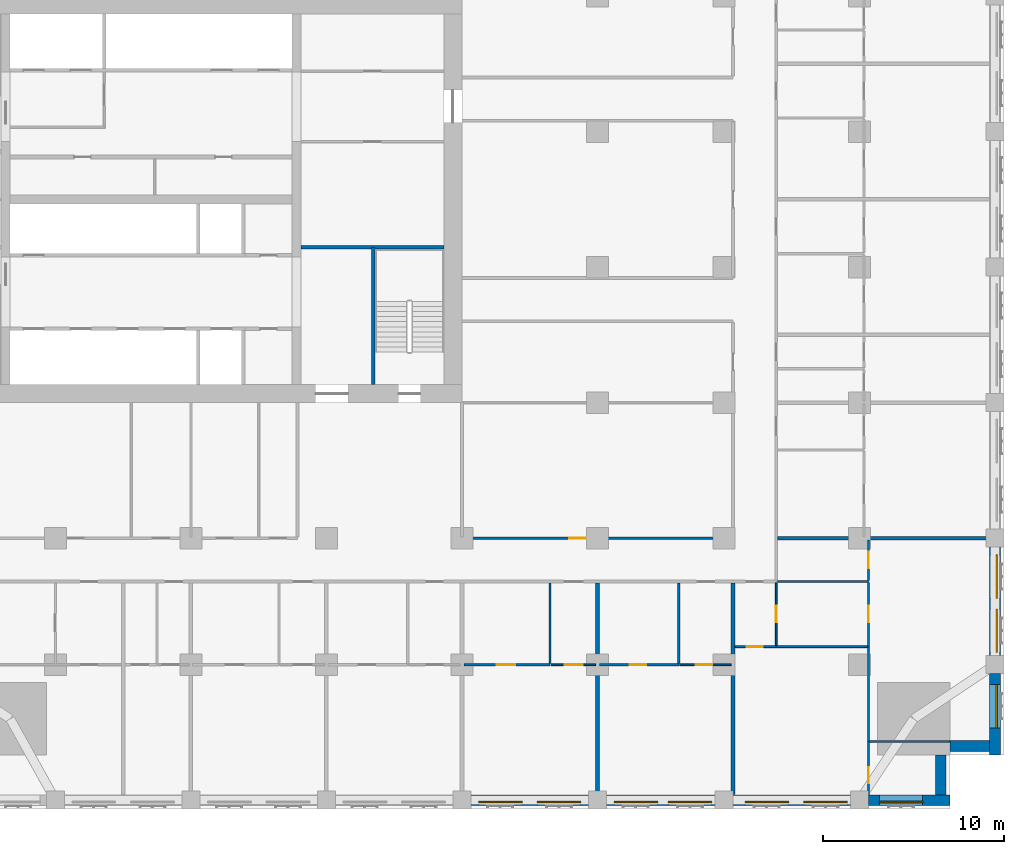
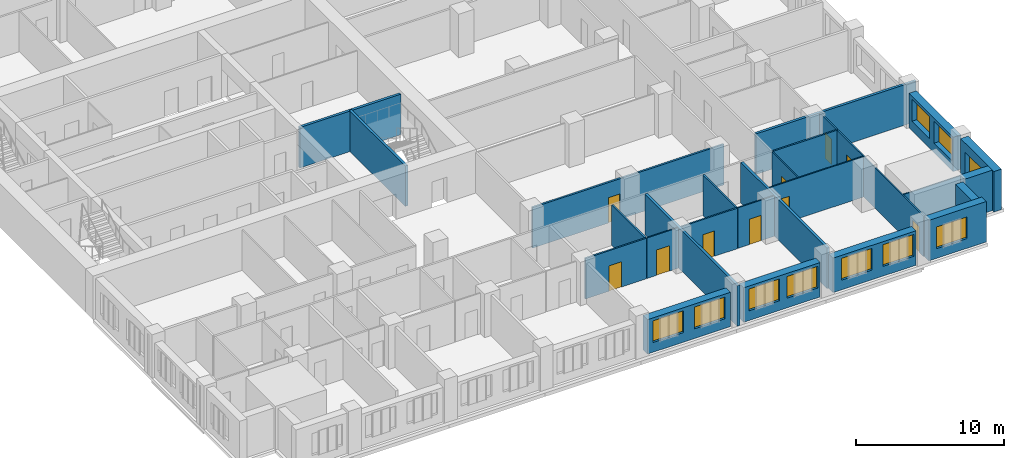
# One storey, part 6 of 14: 26 walls, 10 doors, 10 windows, 20 openings.
"""IFC4 building model written with IfcOpenShell, lengths in metres."""

from ifc_helpers import new_model, si_unit, direction, frame, frame_2d, origin, place, context, subcontext, project, spatial, rectangle, extrude, material, layer, layer_set, type_object, element, fill, save


model = new_model("IFC4")

# Units and contexts
model_context = context("Model", 3, precision=1e-05, world=origin(), true_north=direction((0.0, 1.0)))
body_context = subcontext(model_context, "Body", "Model", "MODEL_VIEW")
ifc_project = project(units=[si_unit("LENGTHUNIT", "METRE"), si_unit("AREAUNIT", "SQUARE_METRE"), si_unit("VOLUMEUNIT", "CUBIC_METRE"), si_unit("PLANEANGLEUNIT", "RADIAN"), si_unit("MASSUNIT", "GRAM", prefix="KILO")], contexts=[model_context])

# Site, building, storey
site_placement = place(None, origin())
site = spatial("IfcSite", under=ifc_project, at=site_placement, CompositionType="ELEMENT")
building_placement = place(site_placement, origin())
building = spatial("IfcBuilding", under=site, at=building_placement, Name="Tamorin Gate", CompositionType="ELEMENT")
storey_placement = place(building_placement, frame((0.0, 0.0, 44.800048828125)))
storey = spatial("IfcBuildingStorey", under=building, at=storey_placement, Name="L09", CompositionType="ELEMENT", Elevation=44.800048828125)

# Wall, openings, windows
ifc_material_1 = material(Name="Precast concrete C40/50", Category="concrete")
ifc_layer_1 = layer(ifc_material_1, 0.60009765625)
ifc_layer_set_1 = layer_set([ifc_layer_1], Name="Precast concrete C40/50")
wall_type_1 = type_object("IfcWallType", Name="Board-marked concrete facade panel 600", PredefinedType="SOLIDWALL", material=ifc_layer_set_1)
wall_1_placement = place(storey_placement, frame((60.5, 38.0, 0.0), z_axis=(0.0, 0.0, 1.0), x_axis=(1.0, 0.0, 0.0)))
wall_1 = element("IfcWall", 1, at=wall_1_placement, inside=storey, type_object=wall_type_1, Name="Facade panel", PredefinedType="SOLIDWALL", context=body_context, shape_type="SweptSolid", body=[
    extrude(rectangle(XDim=6.5, YDim=0.60009765625, at=frame_2d((3.25, 0.0))), origin(), (0.0, 0.0, 1.0), 2.849853515625),
])
opening_1_placement = place(wall_1_placement, frame((0.425048828125, 0.0, 0.800048828125)))
opening_1 = element("IfcOpeningElement", 2, at=opening_1_placement, cuts=wall_1, Name="Opening WN1", PredefinedType="OPENING", context=body_context, shape_type="SweptSolid", body=[
    extrude(rectangle(XDim=2.39990234375, YDim=1.800048828125, at=frame_2d((1.199951171875, 0.89990234375))), frame((0.0, 0.31005859375, 0.0), z_axis=(0.0, -1.0, 0.0), x_axis=(1.0, 0.0, 0.0)), (0.0, 0.0, 1.0), 0.6201171875),
])
opening_2_placement = place(wall_1_placement, frame((3.675048828125, 0.0, 0.800048828125)))
opening_2 = element("IfcOpeningElement", 3, at=opening_2_placement, cuts=wall_1, Name="Opening WN1", PredefinedType="OPENING", context=body_context, shape_type="SweptSolid", body=[
    extrude(rectangle(XDim=2.39990234375, YDim=1.800048828125, at=frame_2d((1.199951171875, 0.89990234375))), frame((0.0, 0.31005859375, 0.0), z_axis=(0.0, -1.0, 0.0), x_axis=(1.0, 0.0, 0.0)), (0.0, 0.0, 1.0), 0.6201171875),
])
ifc_material_2 = material(Name="Clear glass in aluminium frame", Category="aluminium")
window_type = type_object("IfcWindowType", Name="Deep-set window 2400x1800", PartitioningType="SINGLE_PANEL", PredefinedType="WINDOW", material=ifc_material_2)
window_1_placement = place(opening_1_placement, origin())
window_1 = element("IfcWindow", 4, at=window_1_placement, inside=storey, type_object=window_type, Name="Deep-set window", OverallHeight=1.800048828125, OverallWidth=2.39990234375, PartitioningType="SINGLE_PANEL", PredefinedType="WINDOW", context=body_context, shape_type="SweptSolid", body=[
    extrude(rectangle(XDim=2.39990234375, YDim=1.800048828125, at=frame_2d((1.199951171875, 0.89990234375))), frame((0.0, -0.070068359375, 0.0), z_axis=(0.0, -1.0, 0.0), x_axis=(1.0, 0.0, 0.0)), (0.0, 0.0, 1.0), 0.06005859375),
])
fill(opening_1, window_1)
window_2_placement = place(opening_2_placement, origin())
window_2 = element("IfcWindow", 5, at=window_2_placement, inside=storey, type_object=window_type, Name="Deep-set window", OverallHeight=1.800048828125, OverallWidth=2.39990234375, PartitioningType="SINGLE_PANEL", PredefinedType="WINDOW", context=body_context, shape_type="SweptSolid", body=[
    extrude(rectangle(XDim=2.39990234375, YDim=1.800048828125, at=frame_2d((1.199951171875, 0.89990234375))), frame((0.0, -0.070068359375, 0.0), z_axis=(0.0, -1.0, 0.0), x_axis=(1.0, 0.0, 0.0)), (0.0, 0.0, 1.0), 0.06005859375),
])
fill(opening_2, window_2)

wall_2_placement = place(storey_placement, frame((68.0, 38.0, 0.0), z_axis=(0.0, 0.0, 1.0), x_axis=(1.0, 0.0, 0.0)))
wall_2 = element("IfcWall", 6, at=wall_2_placement, inside=storey, type_object=wall_type_1, Name="Facade panel", PredefinedType="SOLIDWALL", context=body_context, shape_type="SweptSolid", body=[
    extrude(rectangle(XDim=6.0, YDim=0.60009765625, at=frame_2d((3.0, 0.0))), origin(), (0.0, 0.0, 1.0), 2.849853515625),
])
opening_3_placement = place(wall_2_placement, frame((0.425048828125, 0.0, 0.800048828125)))
opening_3 = element("IfcOpeningElement", 7, at=opening_3_placement, cuts=wall_2, Name="Opening WN1", PredefinedType="OPENING", context=body_context, shape_type="SweptSolid", body=[
    extrude(rectangle(XDim=2.39990234375, YDim=1.800048828125, at=frame_2d((1.199951171875, 0.89990234375))), frame((0.0, 0.31005859375, 0.0), z_axis=(0.0, -1.0, 0.0), x_axis=(1.0, 0.0, 0.0)), (0.0, 0.0, 1.0), 0.6201171875),
])
opening_4_placement = place(wall_2_placement, frame((3.425048828125, 0.0, 0.800048828125)))
opening_4 = element("IfcOpeningElement", 8, at=opening_4_placement, cuts=wall_2, Name="Opening WN1", PredefinedType="OPENING", context=body_context, shape_type="SweptSolid", body=[
    extrude(rectangle(XDim=2.39990234375, YDim=1.800048828125, at=frame_2d((1.199951171875, 0.89990234375))), frame((0.0, 0.31005859375, 0.0), z_axis=(0.0, -1.0, 0.0), x_axis=(1.0, 0.0, 0.0)), (0.0, 0.0, 1.0), 0.6201171875),
])
window_3_placement = place(opening_3_placement, origin())
window_3 = element("IfcWindow", 9, at=window_3_placement, inside=storey, type_object=window_type, Name="Deep-set window", OverallHeight=1.800048828125, OverallWidth=2.39990234375, PartitioningType="SINGLE_PANEL", PredefinedType="WINDOW", context=body_context, shape_type="SweptSolid", body=[
    extrude(rectangle(XDim=2.39990234375, YDim=1.800048828125, at=frame_2d((1.199951171875, 0.89990234375))), frame((0.0, -0.070068359375, 0.0), z_axis=(0.0, -1.0, 0.0), x_axis=(1.0, 0.0, 0.0)), (0.0, 0.0, 1.0), 0.06005859375),
])
fill(opening_3, window_3)
window_4_placement = place(opening_4_placement, origin())
window_4 = element("IfcWindow", 10, at=window_4_placement, inside=storey, type_object=window_type, Name="Deep-set window", OverallHeight=1.800048828125, OverallWidth=2.39990234375, PartitioningType="SINGLE_PANEL", PredefinedType="WINDOW", context=body_context, shape_type="SweptSolid", body=[
    extrude(rectangle(XDim=2.39990234375, YDim=1.800048828125, at=frame_2d((1.199951171875, 0.89990234375))), frame((0.0, -0.070068359375, 0.0), z_axis=(0.0, -1.0, 0.0), x_axis=(1.0, 0.0, 0.0)), (0.0, 0.0, 1.0), 0.06005859375),
])
fill(opening_4, window_4)

wall_3_placement = place(storey_placement, frame((75.0, 38.0, 0.0), z_axis=(0.0, 0.0, 1.0), x_axis=(1.0, 0.0, 0.0)))
wall_3 = element("IfcWall", 11, at=wall_3_placement, inside=storey, type_object=wall_type_1, Name="Facade panel", PredefinedType="SOLIDWALL", context=body_context, shape_type="SweptSolid", body=[
    extrude(rectangle(XDim=6.5, YDim=0.60009765625, at=frame_2d((3.25, 0.0))), origin(), (0.0, 0.0, 1.0), 2.849853515625),
])
opening_5_placement = place(wall_3_placement, frame((0.675048828125, 0.0, 0.800048828125)))
opening_5 = element("IfcOpeningElement", 12, at=opening_5_placement, cuts=wall_3, Name="Opening WN1", PredefinedType="OPENING", context=body_context, shape_type="SweptSolid", body=[
    extrude(rectangle(XDim=2.39990234375, YDim=1.800048828125, at=frame_2d((1.199951171875, 0.89990234375))), frame((0.0, 0.31005859375, 0.0), z_axis=(0.0, -1.0, 0.0), x_axis=(1.0, 0.0, 0.0)), (0.0, 0.0, 1.0), 0.6201171875),
])
opening_6_placement = place(wall_3_placement, frame((3.925048828125, 0.0, 0.800048828125)))
opening_6 = element("IfcOpeningElement", 13, at=opening_6_placement, cuts=wall_3, Name="Opening WN1", PredefinedType="OPENING", context=body_context, shape_type="SweptSolid", body=[
    extrude(rectangle(XDim=2.39990234375, YDim=1.800048828125, at=frame_2d((1.199951171875, 0.89990234375))), frame((0.0, 0.31005859375, 0.0), z_axis=(0.0, -1.0, 0.0), x_axis=(1.0, 0.0, 0.0)), (0.0, 0.0, 1.0), 0.6201171875),
])
window_5_placement = place(opening_5_placement, origin())
window_5 = element("IfcWindow", 14, at=window_5_placement, inside=storey, type_object=window_type, Name="Deep-set window", OverallHeight=1.800048828125, OverallWidth=2.39990234375, PartitioningType="SINGLE_PANEL", PredefinedType="WINDOW", context=body_context, shape_type="SweptSolid", body=[
    extrude(rectangle(XDim=2.39990234375, YDim=1.800048828125, at=frame_2d((1.199951171875, 0.89990234375))), frame((0.0, -0.070068359375, 0.0), z_axis=(0.0, -1.0, 0.0), x_axis=(1.0, 0.0, 0.0)), (0.0, 0.0, 1.0), 0.06005859375),
])
fill(opening_5, window_5)
window_6_placement = place(opening_6_placement, origin())
window_6 = element("IfcWindow", 15, at=window_6_placement, inside=storey, type_object=window_type, Name="Deep-set window", OverallHeight=1.800048828125, OverallWidth=2.39990234375, PartitioningType="SINGLE_PANEL", PredefinedType="WINDOW", context=body_context, shape_type="SweptSolid", body=[
    extrude(rectangle(XDim=2.39990234375, YDim=1.800048828125, at=frame_2d((1.199951171875, 0.89990234375))), frame((0.0, -0.070068359375, 0.0), z_axis=(0.0, -1.0, 0.0), x_axis=(1.0, 0.0, 0.0)), (0.0, 0.0, 1.0), 0.06005859375),
])
fill(opening_6, window_6)

# Wall, opening, window
wall_4_placement = place(storey_placement, frame((82.5, 38.0, 0.0), z_axis=(0.0, 0.0, 1.0), x_axis=(1.0, 0.0, 0.0)))
wall_4 = element("IfcWall", 16, at=wall_4_placement, inside=storey, type_object=wall_type_1, Name="Facade panel", PredefinedType="SOLIDWALL", context=body_context, shape_type="SweptSolid", body=[
    extrude(rectangle(XDim=4.5, YDim=0.60009765625, at=frame_2d((2.25, 0.0))), origin(), (0.0, 0.0, 1.0), 3.349853515625),
])
opening_7_placement = place(wall_4_placement, frame((0.60009765625, 0.0, 0.800048828125)))
opening_7 = element("IfcOpeningElement", 17, at=opening_7_placement, cuts=wall_4, Name="Opening WN1", PredefinedType="OPENING", context=body_context, shape_type="SweptSolid", body=[
    extrude(rectangle(XDim=2.39990234375, YDim=1.800048828125, at=frame_2d((1.199951171875, 0.89990234375))), frame((0.0, 0.31005859375, 0.0), z_axis=(0.0, -1.0, 0.0), x_axis=(1.0, 0.0, 0.0)), (0.0, 0.0, 1.0), 0.6201171875),
])
window_7_placement = place(opening_7_placement, origin())
window_7 = element("IfcWindow", 18, at=window_7_placement, inside=storey, type_object=window_type, Name="Deep-set window", OverallHeight=1.800048828125, OverallWidth=2.39990234375, PartitioningType="SINGLE_PANEL", PredefinedType="WINDOW", context=body_context, shape_type="SweptSolid", body=[
    extrude(rectangle(XDim=2.39990234375, YDim=1.800048828125, at=frame_2d((1.199951171875, 0.89990234375))), frame((0.0, -0.070068359375, 0.0), z_axis=(0.0, -1.0, 0.0), x_axis=(1.0, 0.0, 0.0)), (0.0, 0.0, 1.0), 0.06005859375),
])
fill(opening_7, window_7)

# Walls
for number, where, z_axis, x_axis, name in (
    (19, (86.5, 38.300048828125, 0.0), (0.0, 0.0, 1.0), (0.0, 1.0, 0.0), "Facade panel"),
    (20, (87.0, 41.0, 0.0), (0.0, 0.0, 1.0), (1.0, 0.0, 0.0), "Facade panel"),
):
    element("IfcWall", number, at=place(storey_placement, frame(where, z_axis=z_axis, x_axis=x_axis)), inside=storey, type_object=wall_type_1, Name=name, PredefinedType="SOLIDWALL", context=body_context, shape_type="SweptSolid", body=[
        extrude(rectangle(XDim=2.199951171875, YDim=0.60009765625, at=frame_2d((1.10009765625, 0.0))), origin(), (0.0, 0.0, 1.0), 3.349853515625),
    ])

# Wall, opening, window
wall_5_placement = place(storey_placement, frame((89.5, 40.5, 0.0), z_axis=(0.0, 0.0, 1.0), x_axis=(0.0, 1.0, 0.0)))
wall_5 = element("IfcWall", 21, at=wall_5_placement, inside=storey, type_object=wall_type_1, Name="Facade panel", PredefinedType="SOLIDWALL", context=body_context, shape_type="SweptSolid", body=[
    extrude(rectangle(XDim=4.5, YDim=0.60009765625, at=frame_2d((2.25, 0.0))), origin(), (0.0, 0.0, 1.0), 3.349853515625),
])
opening_8_placement = place(wall_5_placement, frame((1.5, 0.0, 0.800048828125)))
opening_8 = element("IfcOpeningElement", 22, at=opening_8_placement, cuts=wall_5, Name="Opening WN1", PredefinedType="OPENING", context=body_context, shape_type="SweptSolid", body=[
    extrude(rectangle(XDim=2.39990234375, YDim=1.800048828125, at=frame_2d((1.199951171875, 0.89990234375))), frame((0.0, 0.31005859375, 0.0), z_axis=(0.0, -1.0, 0.0), x_axis=(1.0, 0.0, 0.0)), (0.0, 0.0, 1.0), 0.6201171875),
])
window_8_placement = place(opening_8_placement, origin())
window_8 = element("IfcWindow", 23, at=window_8_placement, inside=storey, type_object=window_type, Name="Deep-set window", OverallHeight=1.800048828125, OverallWidth=2.39990234375, PartitioningType="SINGLE_PANEL", PredefinedType="WINDOW", context=body_context, shape_type="SweptSolid", body=[
    extrude(rectangle(XDim=2.39990234375, YDim=1.800048828125, at=frame_2d((1.199951171875, 0.89990234375))), frame((0.0, -0.070068359375, 0.0), z_axis=(0.0, -1.0, 0.0), x_axis=(1.0, 0.0, 0.0)), (0.0, 0.0, 1.0), 0.06005859375),
])
fill(opening_8, window_8)

# Wall, openings, windows
wall_6_placement = place(storey_placement, frame((89.5, 46.0, 0.0), z_axis=(0.0, 0.0, 1.0), x_axis=(0.0, 1.0, 0.0)))
wall_6 = element("IfcWall", 24, at=wall_6_placement, inside=storey, type_object=wall_type_1, Name="Facade panel", PredefinedType="SOLIDWALL", context=body_context, shape_type="SweptSolid", body=[
    extrude(rectangle(XDim=6.0, YDim=0.60009765625, at=frame_2d((3.0, 0.0))), origin(), (0.0, 0.0, 1.0), 2.849853515625),
])
opening_9_placement = place(wall_6_placement, frame((0.175048828125, 0.0, 0.800048828125)))
opening_9 = element("IfcOpeningElement", 25, at=opening_9_placement, cuts=wall_6, Name="Opening WN1", PredefinedType="OPENING", context=body_context, shape_type="SweptSolid", body=[
    extrude(rectangle(XDim=2.39990234375, YDim=1.800048828125, at=frame_2d((1.199951171875, 0.89990234375))), frame((0.0, 0.31005859375, 0.0), z_axis=(0.0, -1.0, 0.0), x_axis=(1.0, 0.0, 0.0)), (0.0, 0.0, 1.0), 0.6201171875),
])
opening_10_placement = place(wall_6_placement, frame((3.175048828125, 0.0, 0.800048828125)))
opening_10 = element("IfcOpeningElement", 26, at=opening_10_placement, cuts=wall_6, Name="Opening WN1", PredefinedType="OPENING", context=body_context, shape_type="SweptSolid", body=[
    extrude(rectangle(XDim=2.39990234375, YDim=1.800048828125, at=frame_2d((1.199951171875, 0.89990234375))), frame((0.0, 0.31005859375, 0.0), z_axis=(0.0, -1.0, 0.0), x_axis=(1.0, 0.0, 0.0)), (0.0, 0.0, 1.0), 0.6201171875),
])
window_9_placement = place(opening_9_placement, origin())
window_9 = element("IfcWindow", 27, at=window_9_placement, inside=storey, type_object=window_type, Name="Deep-set window", OverallHeight=1.800048828125, OverallWidth=2.39990234375, PartitioningType="SINGLE_PANEL", PredefinedType="WINDOW", context=body_context, shape_type="SweptSolid", body=[
    extrude(rectangle(XDim=2.39990234375, YDim=1.800048828125, at=frame_2d((1.199951171875, 0.89990234375))), frame((0.0, -0.070068359375, 0.0), z_axis=(0.0, -1.0, 0.0), x_axis=(1.0, 0.0, 0.0)), (0.0, 0.0, 1.0), 0.06005859375),
])
fill(opening_9, window_9)
window_10_placement = place(opening_10_placement, origin())
window_10 = element("IfcWindow", 28, at=window_10_placement, inside=storey, type_object=window_type, Name="Deep-set window", OverallHeight=1.800048828125, OverallWidth=2.39990234375, PartitioningType="SINGLE_PANEL", PredefinedType="WINDOW", context=body_context, shape_type="SweptSolid", body=[
    extrude(rectangle(XDim=2.39990234375, YDim=1.800048828125, at=frame_2d((1.199951171875, 0.89990234375))), frame((0.0, -0.070068359375, 0.0), z_axis=(0.0, -1.0, 0.0), x_axis=(1.0, 0.0, 0.0)), (0.0, 0.0, 1.0), 0.06005859375),
])
fill(opening_10, window_10)

# Wall, opening, door
ifc_material_3 = material(Name="Gypsum board partition")
ifc_layer_2 = layer(ifc_material_3, 0.14990234375)
ifc_layer_set_2 = layer_set([ifc_layer_2], Name="Corridor wall 150")
wall_type_2 = type_object("IfcWallType", Name="Corridor wall 150", PredefinedType="PARTITIONING", material=ifc_layer_set_2)
wall_7_placement = place(storey_placement, frame((60.0, 52.5, 0.0), z_axis=(0.0, 0.0, 1.0), x_axis=(1.0, 0.0, 0.0)))
wall_7 = element("IfcWall", 29, at=wall_7_placement, inside=storey, type_object=wall_type_2, Name="Corridor wall 150", PredefinedType="PARTITIONING", context=body_context, shape_type="SweptSolid", body=[
    extrude(rectangle(XDim=15.0, YDim=0.14990234375, at=frame_2d((7.5, 0.0))), origin(), (0.0, 0.0, 1.0), 3.349853515625),
])
opening_11_placement = place(wall_7_placement, frame((5.949951171875, 0.0, 0.0)))
opening_11 = element("IfcOpeningElement", 30, at=opening_11_placement, cuts=wall_7, Name="Opening DH4076", PredefinedType="OPENING", context=body_context, shape_type="SweptSolid", body=[
    extrude(rectangle(XDim=0.89990234375, YDim=2.10009765625, at=frame_2d((0.449951171875, 1.050048828125))), frame((0.0, 0.0849609375, 0.0), z_axis=(0.0, -1.0, 0.0), x_axis=(1.0, 0.0, 0.0)), (0.0, 0.0, 1.0), 0.169921875),
])
ifc_material_4 = material(Name="Timber door leaf", Category="wood")
door_type_1 = type_object("IfcDoorType", Name="Door 900 x 2100 FD30S", OperationType="NOTDEFINED", PredefinedType="DOOR", material=ifc_material_4)
door_1_placement = place(opening_11_placement, origin())
door_1 = element("IfcDoor", 31, at=door_1_placement, inside=storey, type_object=door_type_1, Name="Door DH4076", OperationType="SINGLE_SWING_LEFT", OverallHeight=2.10009765625, OverallWidth=0.89990234375, PredefinedType="DOOR", context=body_context, shape_type="SweptSolid", body=[
    extrude(rectangle(XDim=0.89990234375, YDim=2.10009765625, at=frame_2d((0.449951171875, 1.050048828125))), frame((0.0, 0.02490234375, 0.0), z_axis=(0.0, -1.0, 0.0), x_axis=(1.0, 0.0, 0.0)), (0.0, 0.0, 1.0), 0.050048828125),
])
fill(opening_11, door_1)

# Walls
ifc_layer_3 = layer(ifc_material_3, 0.199951171875)
ifc_layer_set_3 = layer_set([ifc_layer_3], Name="Demising wall 200")
wall_type_3 = type_object("IfcWallType", Name="Demising wall 200", PredefinedType="PARTITIONING", material=ifc_layer_set_3)
for number, where, z_axis, x_axis, name in (
    (32, (77.47509765625, 52.5, 0.0), (0.0, 0.0, 1.0), (1.0, 0.0, 0.0), "Demising wall 200"),
    (33, (67.5, 37.5, 0.0), (0.0, 0.0, 1.0), (0.0, 1.0, 0.0), "Demising wall 200"),
):
    element("IfcWall", number, at=place(storey_placement, frame(where, z_axis=z_axis, x_axis=x_axis)), inside=storey, type_object=wall_type_3, Name=name, PredefinedType="PARTITIONING", context=body_context, shape_type="SweptSolid", body=[
        extrude(rectangle(XDim=12.52490234375, YDim=0.199951171875, at=frame_2d((6.262451171875, 0.0))), origin(), (0.0, 0.0, 1.0), 3.349853515625),
    ])
wall_8_placement = place(storey_placement, frame((75.0, 38.31005859375, 0.0), z_axis=(0.0, 0.0, 1.0), x_axis=(0.0, 1.0, 0.0)))
element("IfcWall", 34, at=wall_8_placement, inside=storey, type_object=wall_type_3, Name="Demising wall 200", PredefinedType="PARTITIONING", context=body_context, shape_type="SweptSolid", body=[
    extrude(rectangle(XDim=11.71484375, YDim=0.199951171875, at=frame_2d((5.857421875, 0.0))), origin(), (0.0, 0.0, 1.0), 3.349853515625),
])
ifc_layer_4 = layer(ifc_material_3, 0.10009765625)
ifc_layer_set_4 = layer_set([ifc_layer_4], Name="Room partition 100")
wall_type_4 = type_object("IfcWallType", Name="Room partition 100", PredefinedType="PARTITIONING", material=ifc_layer_set_4)
wall_9_placement = place(storey_placement, frame((82.550048828125, 41.25, 0.0), z_axis=(0.0, 0.0, 1.0), x_axis=(1.0, 0.0, 0.0)))
element("IfcWall", 35, at=wall_9_placement, inside=storey, type_object=wall_type_4, Name="Room partition 100", PredefinedType="PARTITIONING", context=body_context, shape_type="SweptSolid", body=[
    extrude(rectangle(XDim=4.43994140625, YDim=0.10009765625, at=frame_2d((2.219970703125, 0.0))), origin(), (0.0, 0.0, 1.0), 3.349853515625),
])

# Wall, opening, door
wall_10_placement = place(storey_placement, frame((64.9375, 45.5, 0.0), z_axis=(0.0, 0.0, 1.0), x_axis=(1.0, 0.0, 0.0)))
wall_10 = element("IfcWall", 36, at=wall_10_placement, inside=storey, type_object=wall_type_4, Name="Room partition 100", PredefinedType="PARTITIONING", context=body_context, shape_type="SweptSolid", body=[
    extrude(rectangle(XDim=2.46240234375, YDim=0.10009765625, at=frame_2d((1.231201171875, 0.0))), origin(), (0.0, 0.0, 1.0), 3.349853515625),
])
opening_12_placement = place(wall_10_placement, frame((0.75, 0.0, 0.0)))
opening_12 = element("IfcOpeningElement", 37, at=opening_12_placement, cuts=wall_10, Name="Opening DH4016", PredefinedType="OPENING", context=body_context, shape_type="SweptSolid", body=[
    extrude(rectangle(XDim=1.0, YDim=2.10009765625, at=frame_2d((0.5, 1.050048828125))), frame((0.0, 0.06005859375, 0.0), z_axis=(0.0, -1.0, 0.0), x_axis=(1.0, 0.0, 0.0)), (0.0, 0.0, 1.0), 0.1201171875),
])
door_type_2 = type_object("IfcDoorType", Name="Door 1000 x 2100", OperationType="NOTDEFINED", PredefinedType="DOOR", material=ifc_material_4)
door_2_placement = place(opening_12_placement, origin())
door_2 = element("IfcDoor", 38, at=door_2_placement, inside=storey, type_object=door_type_2, Name="Door DH4016", OperationType="SINGLE_SWING_LEFT", OverallHeight=2.10009765625, OverallWidth=1.0, PredefinedType="DOOR", context=body_context, shape_type="SweptSolid", body=[
    extrude(rectangle(XDim=1.0, YDim=2.10009765625, at=frame_2d((0.5, 1.050048828125))), frame((0.0, 0.02490234375, 0.0), z_axis=(0.0, -1.0, 0.0), x_axis=(1.0, 0.0, 0.0)), (0.0, 0.0, 1.0), 0.050048828125),
])
fill(opening_12, door_2)

wall_11_placement = place(storey_placement, frame((72.0625, 45.5, 0.0), z_axis=(0.0, 0.0, 1.0), x_axis=(1.0, 0.0, 0.0)))
wall_11 = element("IfcWall", 39, at=wall_11_placement, inside=storey, type_object=wall_type_4, Name="Room partition 100", PredefinedType="PARTITIONING", context=body_context, shape_type="SweptSolid", body=[
    extrude(rectangle(XDim=2.83740234375, YDim=0.10009765625, at=frame_2d((1.418701171875, 0.0))), origin(), (0.0, 0.0, 1.0), 3.349853515625),
])
opening_13_placement = place(wall_11_placement, frame((0.887451171875, 0.0, 0.0)))
opening_13 = element("IfcOpeningElement", 40, at=opening_13_placement, cuts=wall_11, Name="Opening DH4019", PredefinedType="OPENING", context=body_context, shape_type="SweptSolid", body=[
    extrude(rectangle(XDim=0.89990234375, YDim=2.10009765625, at=frame_2d((0.449951171875, 1.050048828125))), frame((0.0, 0.06005859375, 0.0), z_axis=(0.0, -1.0, 0.0), x_axis=(1.0, 0.0, 0.0)), (0.0, 0.0, 1.0), 0.1201171875),
])
door_type_3 = type_object("IfcDoorType", Name="Door 900 x 2100", OperationType="NOTDEFINED", PredefinedType="DOOR", material=ifc_material_4)
door_3_placement = place(opening_13_placement, origin())
door_3 = element("IfcDoor", 41, at=door_3_placement, inside=storey, type_object=door_type_3, Name="Door DH4019", OperationType="SINGLE_SWING_LEFT", OverallHeight=2.10009765625, OverallWidth=0.89990234375, PredefinedType="DOOR", context=body_context, shape_type="SweptSolid", body=[
    extrude(rectangle(XDim=0.89990234375, YDim=2.10009765625, at=frame_2d((0.449951171875, 1.050048828125))), frame((0.0, 0.02490234375, 0.0), z_axis=(0.0, -1.0, 0.0), x_axis=(1.0, 0.0, 0.0)), (0.0, 0.0, 1.0), 0.050048828125),
])
fill(opening_13, door_3)

wall_12_placement = place(storey_placement, frame((75.10009765625, 46.5, 0.0), z_axis=(0.0, 0.0, 1.0), x_axis=(1.0, 0.0, 0.0)))
wall_12 = element("IfcWall", 42, at=wall_12_placement, inside=storey, type_object=wall_type_4, Name="Room partition 100", PredefinedType="PARTITIONING", context=body_context, shape_type="SweptSolid", body=[
    extrude(rectangle(XDim=7.349853515625, YDim=0.10009765625, at=frame_2d((3.6748046875, 0.0))), origin(), (0.0, 0.0, 1.0), 3.349853515625),
])
opening_14_placement = place(wall_12_placement, frame((0.64990234375, 0.0, 0.0)))
opening_14 = element("IfcOpeningElement", 43, at=opening_14_placement, cuts=wall_12, Name="Opening DH4061", PredefinedType="OPENING", context=body_context, shape_type="SweptSolid", body=[
    extrude(rectangle(XDim=0.89990234375, YDim=2.10009765625, at=frame_2d((0.449951171875, 1.050048828125))), frame((0.0, 0.06005859375, 0.0), z_axis=(0.0, -1.0, 0.0), x_axis=(1.0, 0.0, 0.0)), (0.0, 0.0, 1.0), 0.1201171875),
])
door_4_placement = place(opening_14_placement, origin())
door_4 = element("IfcDoor", 44, at=door_4_placement, inside=storey, type_object=door_type_3, Name="Door DH4061", OperationType="SINGLE_SWING_RIGHT", OverallHeight=2.10009765625, OverallWidth=0.89990234375, PredefinedType="DOOR", context=body_context, shape_type="SweptSolid", body=[
    extrude(rectangle(XDim=0.89990234375, YDim=2.10009765625, at=frame_2d((0.449951171875, 1.050048828125))), frame((0.0, 0.02490234375, 0.0), z_axis=(0.0, -1.0, 0.0), x_axis=(1.0, 0.0, 0.0)), (0.0, 0.0, 1.0), 0.050048828125),
])
fill(opening_14, door_4)

wall_13_placement = place(storey_placement, frame((77.39990234375, 46.550048828125, 0.0), z_axis=(0.0, 0.0, 1.0), x_axis=(0.0, 1.0, 0.0)))
wall_13 = element("IfcWall", 45, at=wall_13_placement, inside=storey, type_object=wall_type_4, Name="Room partition 100", PredefinedType="PARTITIONING", context=body_context, shape_type="SweptSolid", body=[
    extrude(rectangle(XDim=3.474853515625, YDim=0.10009765625, at=frame_2d((1.7373046875, 0.0))), origin(), (0.0, 0.0, 1.0), 3.349853515625),
])
opening_15_placement = place(wall_13_placement, frame((1.300048828125, 0.0, 0.0)))
opening_15 = element("IfcOpeningElement", 46, at=opening_15_placement, cuts=wall_13, Name="Opening DH4062", PredefinedType="OPENING", context=body_context, shape_type="SweptSolid", body=[
    extrude(rectangle(XDim=0.89990234375, YDim=2.10009765625, at=frame_2d((0.449951171875, 1.050048828125))), frame((0.0, 0.06005859375, 0.0), z_axis=(0.0, -1.0, 0.0), x_axis=(1.0, 0.0, 0.0)), (0.0, 0.0, 1.0), 0.1201171875),
])
door_5_placement = place(opening_15_placement, origin())
door_5 = element("IfcDoor", 47, at=door_5_placement, inside=storey, type_object=door_type_3, Name="Door DH4062", OperationType="SINGLE_SWING_RIGHT", OverallHeight=2.10009765625, OverallWidth=0.89990234375, PredefinedType="DOOR", context=body_context, shape_type="SweptSolid", body=[
    extrude(rectangle(XDim=0.89990234375, YDim=2.10009765625, at=frame_2d((0.449951171875, 1.050048828125))), frame((0.0, 0.02490234375, 0.0), z_axis=(0.0, -1.0, 0.0), x_axis=(1.0, 0.0, 0.0)), (0.0, 0.0, 1.0), 0.050048828125),
])
fill(opening_15, door_5)

# Wall, openings, doors
wall_14_placement = place(storey_placement, frame((82.5, 38.31005859375, 0.0), z_axis=(0.0, 0.0, 1.0), x_axis=(0.0, 1.0, 0.0)))
wall_14 = element("IfcWall", 48, at=wall_14_placement, inside=storey, type_object=wall_type_4, Name="Room partition 100", PredefinedType="PARTITIONING", context=body_context, shape_type="SweptSolid", body=[
    extrude(rectangle(XDim=11.7275390625, YDim=0.10009765625, at=frame_2d((5.86376953125, 0.0))), origin(), (0.0, 0.0, 1.0), 3.349853515625),
])
opening_16_placement = place(wall_14_placement, frame((0.614990234375, 0.0, 0.0)))
opening_16 = element("IfcOpeningElement", 49, at=opening_16_placement, cuts=wall_14, Name="Opening DH4063", PredefinedType="OPENING", context=body_context, shape_type="SweptSolid", body=[
    extrude(rectangle(XDim=0.89990234375, YDim=2.10009765625, at=frame_2d((0.449951171875, 1.050048828125))), frame((0.0, 0.06005859375, 0.0), z_axis=(0.0, -1.0, 0.0), x_axis=(1.0, 0.0, 0.0)), (0.0, 0.0, 1.0), 0.1201171875),
])
opening_17_placement = place(wall_14_placement, frame((9.5400390625, 0.0, 0.0)))
opening_17 = element("IfcOpeningElement", 50, at=opening_17_placement, cuts=wall_14, Name="Opening DH4064", PredefinedType="OPENING", context=body_context, shape_type="SweptSolid", body=[
    extrude(rectangle(XDim=0.89990234375, YDim=2.10009765625, at=frame_2d((0.449951171875, 1.050048828125))), frame((0.0, 0.06005859375, 0.0), z_axis=(0.0, -1.0, 0.0), x_axis=(1.0, 0.0, 0.0)), (0.0, 0.0, 1.0), 0.1201171875),
])
door_6_placement = place(opening_16_placement, origin())
door_6 = element("IfcDoor", 51, at=door_6_placement, inside=storey, type_object=door_type_3, Name="Door DH4063", OperationType="SINGLE_SWING_LEFT", OverallHeight=2.10009765625, OverallWidth=0.89990234375, PredefinedType="DOOR", context=body_context, shape_type="SweptSolid", body=[
    extrude(rectangle(XDim=0.89990234375, YDim=2.10009765625, at=frame_2d((0.449951171875, 1.050048828125))), frame((0.0, 0.02490234375, 0.0), z_axis=(0.0, -1.0, 0.0), x_axis=(1.0, 0.0, 0.0)), (0.0, 0.0, 1.0), 0.050048828125),
])
fill(opening_16, door_6)
door_7_placement = place(opening_17_placement, origin())
door_7 = element("IfcDoor", 52, at=door_7_placement, inside=storey, type_object=door_type_3, Name="Door DH4064", OperationType="SINGLE_SWING_RIGHT", OverallHeight=2.10009765625, OverallWidth=0.89990234375, PredefinedType="DOOR", context=body_context, shape_type="SweptSolid", body=[
    extrude(rectangle(XDim=0.89990234375, YDim=2.10009765625, at=frame_2d((0.449951171875, 1.050048828125))), frame((0.0, 0.02490234375, 0.0), z_axis=(0.0, -1.0, 0.0), x_axis=(1.0, 0.0, 0.0)), (0.0, 0.0, 1.0), 0.050048828125),
])
fill(opening_17, door_7)

# Walls
ifc_material_5 = material(Name="Concrete C40/50", Category="concrete")
ifc_layer_5 = layer(ifc_material_5, 0.199951171875)
ifc_layer_set_5 = layer_set([ifc_layer_5], Name="Stair enclosure wall 200 EI 120 C40/50")
wall_type_5 = type_object("IfcWallType", Name="Stair enclosure wall 200 EI 120 C40/50", PredefinedType="SOLIDWALL", material=ifc_layer_set_5)
wall_15_placement = place(storey_placement, frame((55.10009765625, 61.0, 0.0), z_axis=(0.0, 0.0, 1.0), x_axis=(0.0, 1.0, 0.0)))
element("IfcWall", 53, at=wall_15_placement, inside=storey, type_object=wall_type_5, Name="Stair enclosure wall", PredefinedType="SOLIDWALL", context=body_context, shape_type="SweptSolid", body=[
    extrude(rectangle(XDim=7.60009765625, YDim=0.199951171875, at=frame_2d((3.800048828125, 0.0))), origin(), (0.0, 0.0, 1.0), 3.349853515625),
])
wall_16_placement = place(storey_placement, frame((51.10009765625, 68.60009765625, 0.0), z_axis=(0.0, 0.0, 1.0), x_axis=(1.0, 0.0, 0.0)))
element("IfcWall", 54, at=wall_16_placement, inside=storey, type_object=wall_type_5, Name="Stair enclosure wall", PredefinedType="SOLIDWALL", context=body_context, shape_type="SweptSolid", body=[
    extrude(rectangle(XDim=7.89990234375, YDim=0.199951171875, at=frame_2d((3.949951171875, 0.0))), origin(), (0.0, 0.0, 1.0), 3.349853515625),
])

# Wall, opening, door
ifc_layer_6 = layer(ifc_material_3, 0.125)
ifc_layer_set_6 = layer_set([ifc_layer_6], Name="Wet wall 125")
wall_type_6 = type_object("IfcWallType", Name="Wet wall 125", PredefinedType="PARTITIONING", material=ifc_layer_set_6)
wall_17_placement = place(storey_placement, frame((60.10009765625, 45.5, 0.0), z_axis=(0.0, 0.0, 1.0), x_axis=(1.0, 0.0, 0.0)))
wall_17 = element("IfcWall", 55, at=wall_17_placement, inside=storey, type_object=wall_type_6, Name="Wet wall 125", PredefinedType="PARTITIONING", context=body_context, shape_type="SweptSolid", body=[
    extrude(rectangle(XDim=4.77490234375, YDim=0.125, at=frame_2d((2.387451171875, 0.0))), origin(), (0.0, 0.0, 1.0), 3.349853515625),
])
opening_18_placement = place(wall_17_placement, frame((1.83740234375, 0.0, 0.0)))
opening_18 = element("IfcOpeningElement", 56, at=opening_18_placement, cuts=wall_17, Name="Opening DH4014", PredefinedType="OPENING", context=body_context, shape_type="SweptSolid", body=[
    extrude(rectangle(XDim=1.0, YDim=2.10009765625, at=frame_2d((0.5, 1.050048828125))), frame((0.0, 0.072509765625, 0.0), z_axis=(0.0, -1.0, 0.0), x_axis=(1.0, 0.0, 0.0)), (0.0, 0.0, 1.0), 0.14501953125),
])
door_8_placement = place(opening_18_placement, origin())
door_8 = element("IfcDoor", 57, at=door_8_placement, inside=storey, type_object=door_type_2, Name="Door DH4014", OperationType="SINGLE_SWING_LEFT", OverallHeight=2.10009765625, OverallWidth=1.0, PredefinedType="DOOR", context=body_context, shape_type="SweptSolid", body=[
    extrude(rectangle(XDim=1.0, YDim=2.10009765625, at=frame_2d((0.5, 1.050048828125))), frame((0.0, 0.02490234375, 0.0), z_axis=(0.0, -1.0, 0.0), x_axis=(1.0, 0.0, 0.0)), (0.0, 0.0, 1.0), 0.050048828125),
])
fill(opening_18, door_8)

wall_18_placement = place(storey_placement, frame((67.60009765625, 45.5, 0.0), z_axis=(0.0, 0.0, 1.0), x_axis=(1.0, 0.0, 0.0)))
wall_18 = element("IfcWall", 58, at=wall_18_placement, inside=storey, type_object=wall_type_6, Name="Wet wall 125", PredefinedType="PARTITIONING", context=body_context, shape_type="SweptSolid", body=[
    extrude(rectangle(XDim=4.39990234375, YDim=0.125, at=frame_2d((2.199951171875, 0.0))), origin(), (0.0, 0.0, 1.0), 3.349853515625),
])
opening_19_placement = place(wall_18_placement, frame((1.699951171875, 0.0, 0.0)))
opening_19 = element("IfcOpeningElement", 59, at=opening_19_placement, cuts=wall_18, Name="Opening DH4017", PredefinedType="OPENING", context=body_context, shape_type="SweptSolid", body=[
    extrude(rectangle(XDim=0.89990234375, YDim=2.10009765625, at=frame_2d((0.449951171875, 1.050048828125))), frame((0.0, 0.072509765625, 0.0), z_axis=(0.0, -1.0, 0.0), x_axis=(1.0, 0.0, 0.0)), (0.0, 0.0, 1.0), 0.14501953125),
])
door_9_placement = place(opening_19_placement, origin())
door_9 = element("IfcDoor", 60, at=door_9_placement, inside=storey, type_object=door_type_3, Name="Door DH4017", OperationType="SINGLE_SWING_LEFT", OverallHeight=2.10009765625, OverallWidth=0.89990234375, PredefinedType="DOOR", context=body_context, shape_type="SweptSolid", body=[
    extrude(rectangle(XDim=0.89990234375, YDim=2.10009765625, at=frame_2d((0.449951171875, 1.050048828125))), frame((0.0, 0.02490234375, 0.0), z_axis=(0.0, -1.0, 0.0), x_axis=(1.0, 0.0, 0.0)), (0.0, 0.0, 1.0), 0.050048828125),
])
fill(opening_19, door_9)

# Walls
wall_19_placement = place(storey_placement, frame((77.47509765625, 50.10009765625, 0.0), z_axis=(0.0, 0.0, 1.0), x_axis=(1.0, 0.0, 0.0)))
element("IfcWall", 61, at=wall_19_placement, inside=storey, type_object=wall_type_6, Name="Wet wall 125", PredefinedType="PARTITIONING", context=body_context, shape_type="SweptSolid", body=[
    extrude(rectangle(XDim=5.02490234375, YDim=0.125, at=frame_2d((2.512451171875, 0.0))), origin(), (0.0, 0.0, 1.0), 3.349853515625),
])
for number, where, z_axis, x_axis, name in (
    (62, (64.875, 45.5625, 0.0), (0.0, 0.0, 1.0), (0.0, 1.0, 0.0), "Wet wall 125"),
    (63, (72.0, 45.5625, 0.0), (0.0, 0.0, 1.0), (0.0, 1.0, 0.0), "Wet wall 125"),
):
    element("IfcWall", number, at=place(storey_placement, frame(where, z_axis=z_axis, x_axis=x_axis)), inside=storey, type_object=wall_type_6, Name=name, PredefinedType="PARTITIONING", context=body_context, shape_type="SweptSolid", body=[
        extrude(rectangle(XDim=4.46240234375, YDim=0.125, at=frame_2d((2.231201171875, 0.0))), origin(), (0.0, 0.0, 1.0), 3.349853515625),
    ])

# Wall, opening, door
wall_20_placement = place(storey_placement, frame((82.5, 50.16259765625, 0.0), z_axis=(0.0, 0.0, 1.0), x_axis=(0.0, 1.0, 0.0)))
wall_20 = element("IfcWall", 64, at=wall_20_placement, inside=storey, type_object=wall_type_6, Name="Wet wall 125", PredefinedType="PARTITIONING", context=body_context, shape_type="SweptSolid", body=[
    extrude(rectangle(XDim=2.2373046875, YDim=0.125, at=frame_2d((1.11865234375, 0.0))), origin(), (0.0, 0.0, 1.0), 3.349853515625),
])
opening_20_placement = place(wall_20_placement, frame((0.6875, 0.0, 0.0)))
opening_20 = element("IfcOpeningElement", 65, at=opening_20_placement, cuts=wall_20, Name="Opening DH4065", PredefinedType="OPENING", context=body_context, shape_type="SweptSolid", body=[
    extrude(rectangle(XDim=0.89990234375, YDim=2.10009765625, at=frame_2d((0.449951171875, 1.050048828125))), frame((0.0, 0.072509765625, 0.0), z_axis=(0.0, -1.0, 0.0), x_axis=(1.0, 0.0, 0.0)), (0.0, 0.0, 1.0), 0.14501953125),
])
door_10_placement = place(opening_20_placement, origin())
door_10 = element("IfcDoor", 66, at=door_10_placement, inside=storey, type_object=door_type_3, Name="Door DH4065", OperationType="SINGLE_SWING_LEFT", OverallHeight=2.10009765625, OverallWidth=0.89990234375, PredefinedType="DOOR", context=body_context, shape_type="SweptSolid", body=[
    extrude(rectangle(XDim=0.89990234375, YDim=2.10009765625, at=frame_2d((0.449951171875, 1.050048828125))), frame((0.0, 0.02490234375, 0.0), z_axis=(0.0, -1.0, 0.0), x_axis=(1.0, 0.0, 0.0)), (0.0, 0.0, 1.0), 0.050048828125),
])
fill(opening_20, door_10)

save(model, "model.ifc")
